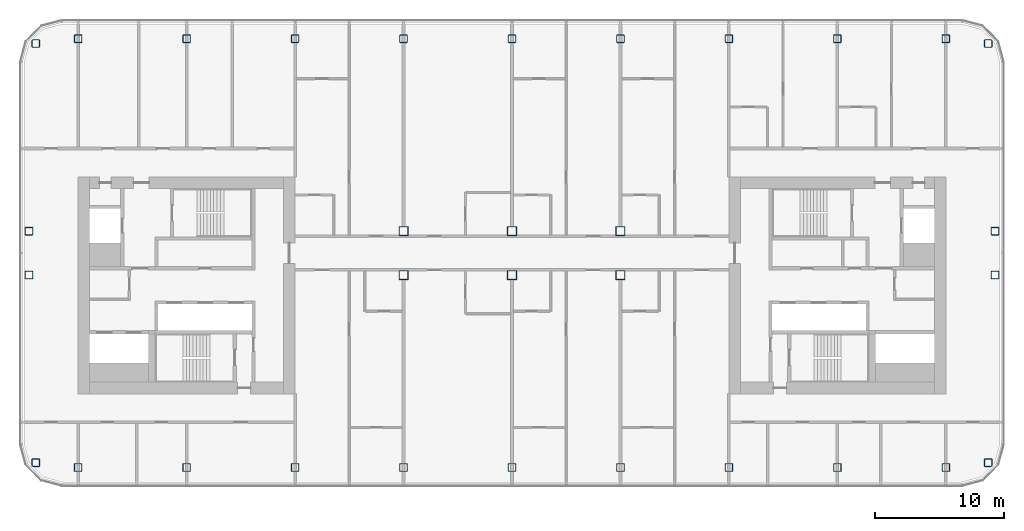
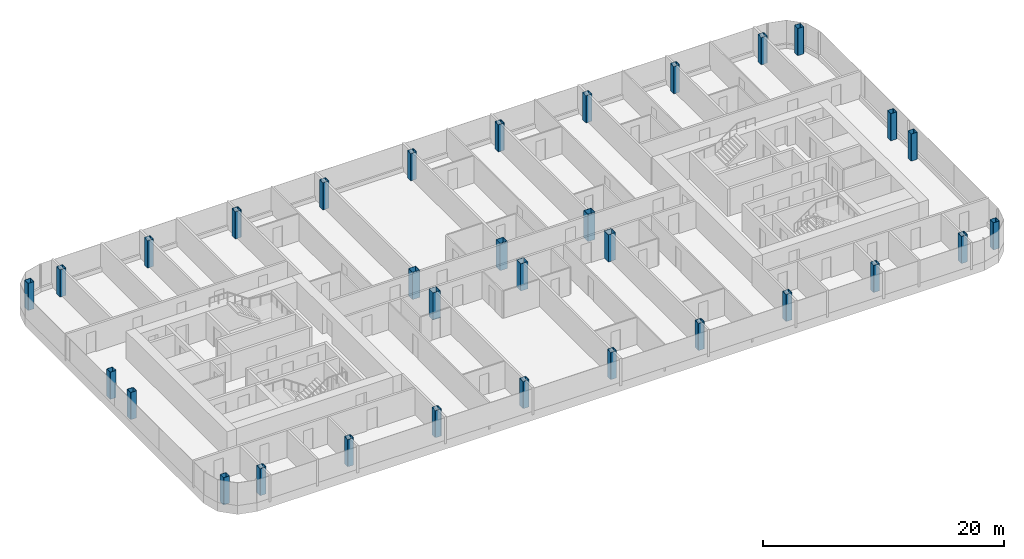
# One storey, part 1 of 26: 32 columns.
"""IFC4 building model written with IfcOpenShell, lengths in metres."""

from ifc_helpers import new_model, si_unit, direction, frame, origin, origin_2d, place, context, subcontext, project, spatial, hollow_rectangle, extrude, material, material_profile, profile_set, type_object, element, save


model = new_model("IFC4")

# Units and contexts
model_context = context("Model", 3, precision=1e-05, world=origin(), true_north=direction((0.0, 1.0)))
body_context = subcontext(model_context, "Body", "Model", "MODEL_VIEW")
ifc_project = project(units=[si_unit("LENGTHUNIT", "METRE"), si_unit("AREAUNIT", "SQUARE_METRE"), si_unit("VOLUMEUNIT", "CUBIC_METRE"), si_unit("PLANEANGLEUNIT", "RADIAN"), si_unit("MASSUNIT", "GRAM", prefix="KILO")], contexts=[model_context])

# Site, building, storey
site_placement = place(None, origin())
site = spatial("IfcSite", under=ifc_project, at=site_placement, CompositionType="ELEMENT")
building_placement = place(site_placement, origin())
building = spatial("IfcBuilding", under=site, at=building_placement, Name="Hakoniwa Tower and Hamabe Station Hall", CompositionType="ELEMENT")
storey_placement = place(building_placement, frame((0.0, 0.0, 199.39990234375)))
storey = spatial("IfcBuildingStorey", under=building, at=storey_placement, Name="L56", CompositionType="ELEMENT", Elevation=199.39990234375)

# Columns
ifc_material_1 = material(Name="Steel BCP325", Category="steel")
ifc_material_profile_1 = material_profile(ifc_material_1, hollow_rectangle(XDim=0.60009765625, YDim=0.60009765625, WallThickness=0.02490234375, InnerFilletRadius=0.03759765625, OuterFilletRadius=0.0625, at=origin_2d()), Name="BCP-600x600x25")
ifc_profile_set_1 = profile_set([ifc_material_profile_1], Name="Steel BCP325")
column_type_1 = type_object("IfcColumnType", Name="COLUMN BCP-600x600x25", PredefinedType="COLUMN", material=ifc_profile_set_1)
for number, where, z_axis, x_axis, name in (
    (1, (-36.877685546875, -13.728515625, 0.0), (0.0, 0.0, 1.0), (1.0, 0.0, 0.0), "Column B4-EW-A4"),
    (2, (-37.39990234375, 0.800048828125, 0.0), (0.0, 0.0, 1.0), (1.0, 0.0, 0.0), "Column B4-EW-C4"),
    (3, (-37.39990234375, 4.199951171875, 0.0), (0.0, 0.0, 1.0), (1.0, 0.0, 0.0), "Column B4-EW-D4"),
    (4, (-36.877685546875, 18.728515625, 0.0), (0.0, 0.0, 1.0), (1.0, 0.0, 0.0), "Column B4-EW-F4"),
    (5, (-33.60009765625, -14.10009765625, 0.0), (0.0, 0.0, 1.0), (1.0, 0.0, 0.0), "Column B4-3-A4"),
    (6, (-33.60009765625, 19.10009765625, 0.0), (0.0, 0.0, 1.0), (1.0, 0.0, 0.0), "Column B4-3-F4"),
    (7, (-25.199951171875, -14.10009765625, 0.0), (0.0, 0.0, 1.0), (1.0, 0.0, 0.0), "Column B4-4-A4"),
    (8, (-25.199951171875, 19.10009765625, 0.0), (0.0, 0.0, 1.0), (1.0, 0.0, 0.0), "Column B4-4-F4"),
    (9, (-16.800048828125, -14.10009765625, 0.0), (0.0, 0.0, 1.0), (1.0, 0.0, 0.0), "Column B4-5-A4"),
    (10, (-16.800048828125, 19.10009765625, 0.0), (0.0, 0.0, 1.0), (1.0, 0.0, 0.0), "Column B4-5-F4"),
    (11, (-8.39990234375, -14.10009765625, 0.0), (0.0, 0.0, 1.0), (1.0, 0.0, 0.0), "Column B4-6-A4"),
    (12, (-8.39990234375, 19.10009765625, 0.0), (0.0, 0.0, 1.0), (1.0, 0.0, 0.0), "Column B4-6-F4"),
    (13, (0.0, -14.10009765625, 0.0), (0.0, 0.0, 1.0), (1.0, 0.0, 0.0), "Column B4-7-A4"),
    (14, (0.0, 19.10009765625, 0.0), (0.0, 0.0, 1.0), (1.0, 0.0, 0.0), "Column B4-7-F4"),
    (15, (8.39990234375, -14.10009765625, 0.0), (0.0, 0.0, 1.0), (1.0, 0.0, 0.0), "Column B4-8-A4"),
    (16, (8.39990234375, 19.10009765625, 0.0), (0.0, 0.0, 1.0), (1.0, 0.0, 0.0), "Column B4-8-F4"),
    (17, (16.800048828125, -14.10009765625, 0.0), (0.0, 0.0, 1.0), (1.0, 0.0, 0.0), "Column B4-9-A4"),
    (18, (16.800048828125, 19.10009765625, 0.0), (0.0, 0.0, 1.0), (1.0, 0.0, 0.0), "Column B4-9-F4"),
    (19, (25.199951171875, -14.10009765625, 0.0), (0.0, 0.0, 1.0), (1.0, 0.0, 0.0), "Column B4-10-A4"),
    (20, (25.199951171875, 19.10009765625, 0.0), (0.0, 0.0, 1.0), (1.0, 0.0, 0.0), "Column B4-10-F4"),
    (21, (33.60009765625, -14.10009765625, 0.0), (0.0, 0.0, 1.0), (1.0, 0.0, 0.0), "Column B4-11-A4"),
    (22, (33.60009765625, 19.10009765625, 0.0), (0.0, 0.0, 1.0), (1.0, 0.0, 0.0), "Column B4-11-F4"),
    (23, (36.877685546875, -13.728515625, 0.0), (0.0, 0.0, 1.0), (1.0, 0.0, 0.0), "Column B4-EE-A4"),
    (24, (37.39990234375, 0.800048828125, 0.0), (0.0, 0.0, 1.0), (1.0, 0.0, 0.0), "Column B4-EE-C4"),
    (25, (37.39990234375, 4.199951171875, 0.0), (0.0, 0.0, 1.0), (1.0, 0.0, 0.0), "Column B4-EE-D4"),
    (26, (36.877685546875, 18.728515625, 0.0), (0.0, 0.0, 1.0), (1.0, 0.0, 0.0), "Column B4-EE-F4"),
):
    element("IfcColumn", number, at=place(storey_placement, frame(where, z_axis=z_axis, x_axis=x_axis)), inside=storey, type_object=column_type_1, Name=name, PredefinedType="COLUMN", context=body_context, shape_type="SweptSolid", body=[
        extrude(hollow_rectangle(XDim=0.60009765625, YDim=0.60009765625, WallThickness=0.02490234375, InnerFilletRadius=0.03759765625, OuterFilletRadius=0.0625, at=origin_2d()), origin(), (0.0, 0.0, 1.0), 2.75),
    ])
ifc_material_2 = material(Name="Steel SN490C", Category="steel")
ifc_material_profile_2 = material_profile(ifc_material_2, hollow_rectangle(XDim=0.699951171875, YDim=0.699951171875, WallThickness=0.028076171875, at=origin_2d()), Name="BX-700x700x28")
ifc_profile_set_2 = profile_set([ifc_material_profile_2], Name="Steel SN490C")
column_type_2 = type_object("IfcColumnType", Name="COLUMN BX-700x700x28", PredefinedType="COLUMN", material=ifc_profile_set_2)
for number, where, z_axis, x_axis, name in (
    (27, (-8.39990234375, 0.800048828125, 0.0), (0.0, 0.0, 1.0), (1.0, 0.0, 0.0), "Column B4-6-C4"),
    (28, (-8.39990234375, 4.199951171875, 0.0), (0.0, 0.0, 1.0), (1.0, 0.0, 0.0), "Column B4-6-D4"),
    (29, (0.0, 0.800048828125, 0.0), (0.0, 0.0, 1.0), (1.0, 0.0, 0.0), "Column B4-7-C4"),
    (30, (0.0, 4.199951171875, 0.0), (0.0, 0.0, 1.0), (1.0, 0.0, 0.0), "Column B4-7-D4"),
    (31, (8.39990234375, 0.800048828125, 0.0), (0.0, 0.0, 1.0), (1.0, 0.0, 0.0), "Column B4-8-C4"),
    (32, (8.39990234375, 4.199951171875, 0.0), (0.0, 0.0, 1.0), (1.0, 0.0, 0.0), "Column B4-8-D4"),
):
    element("IfcColumn", number, at=place(storey_placement, frame(where, z_axis=z_axis, x_axis=x_axis)), inside=storey, type_object=column_type_2, Name=name, PredefinedType="COLUMN", context=body_context, shape_type="SweptSolid", body=[
        extrude(hollow_rectangle(XDim=0.699951171875, YDim=0.699951171875, WallThickness=0.028076171875, at=origin_2d()), origin(), (0.0, 0.0, 1.0), 2.75),
    ])

save(model, "model.ifc")
